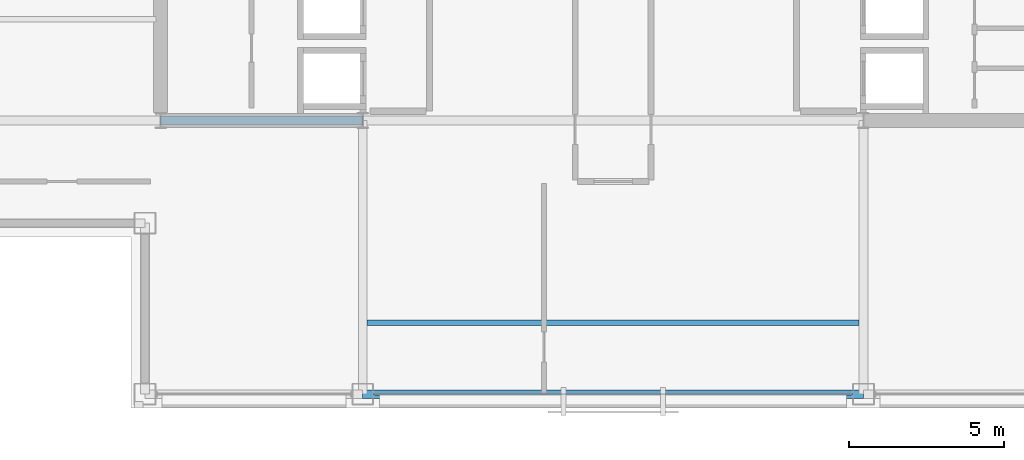
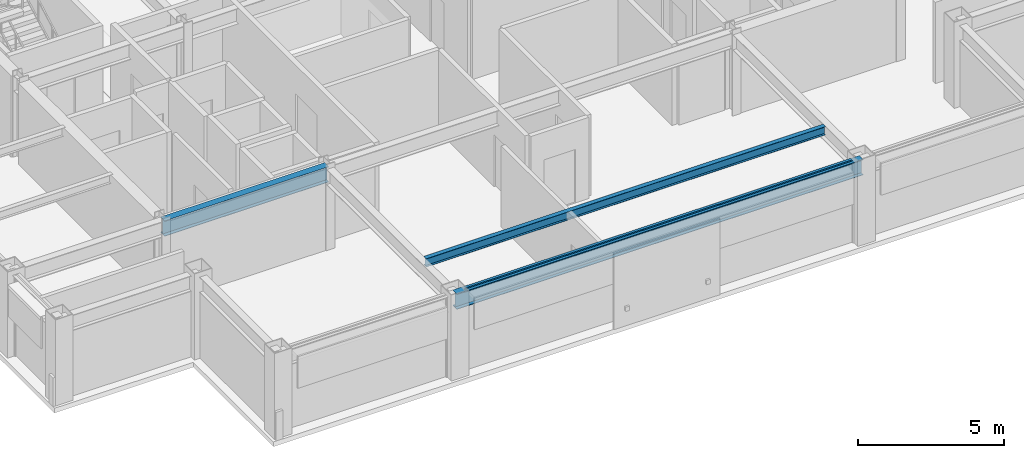
# One storey, part 5 of 30: 3 beams, 1 member, 1 element without a shape of its own.
"""IFC4 building model written with IfcOpenShell, lengths in metres."""

from ifc_helpers import new_model, si_unit, direction, frame, origin, origin_2d, place, context, subcontext, project, spatial, hollow_rectangle, i_section, extrude, material, layer, layer_set, material_profile, profile_set, type_object, element, aggregate, save


model = new_model("IFC4")

# Units and contexts
model_context = context("Model", 3, precision=1e-05, world=origin(), true_north=direction((0.0, 1.0)))
body_context = subcontext(model_context, "Body", "Model", "MODEL_VIEW")
ifc_project = project(units=[si_unit("LENGTHUNIT", "METRE"), si_unit("AREAUNIT", "SQUARE_METRE"), si_unit("VOLUMEUNIT", "CUBIC_METRE"), si_unit("PLANEANGLEUNIT", "RADIAN"), si_unit("MASSUNIT", "GRAM", prefix="KILO")], contexts=[model_context])

# Site, building, storey
site_placement = place(None, origin())
site = spatial("IfcSite", under=ifc_project, at=site_placement, CompositionType="ELEMENT")
building_placement = place(site_placement, origin())
building = spatial("IfcBuilding", under=site, at=building_placement, Name="Brelmoor Portico Tower", CompositionType="ELEMENT")
storey_placement = place(building_placement, frame((0.0, 0.0, 198.300048828125)))
storey = spatial("IfcBuildingStorey", under=building, at=storey_placement, Name="L52", CompositionType="ELEMENT", Elevation=198.300048828125)

# Beams
ifc_material_1 = material(Name="Steel Q355B", Category="steel")
ifc_material_profile_1 = material_profile(ifc_material_1, i_section(OverallWidth=0.175048828125, OverallDepth=0.35009765625, WebThickness=0.007080078125, FlangeThickness=0.010986328125, at=origin_2d()), Name="HN 350x175x7x11")
ifc_profile_set_1 = profile_set([ifc_material_profile_1], Name="Steel Q355B")
beam_type_1 = type_object("IfcBeamType", Name="BM-JS-350", PredefinedType="JOIST", material=ifc_profile_set_1)
beam_1_placement = place(storey_placement, frame((-7.909912109375, -16.25, 3.224853515625), z_axis=(1.0, 0.0, 0.0), x_axis=(0.0, 1.0, 0.0)))
element("IfcBeam", 1, at=beam_1_placement, inside=storey, type_object=beam_type_1, Name="L52 Secondary Composite Joist JS-C01", PredefinedType="JOIST", context=body_context, shape_type="SweptSolid", body=[
    extrude(i_section(OverallWidth=0.175048828125, OverallDepth=0.35009765625, WebThickness=0.007080078125, FlangeThickness=0.010986328125, at=origin_2d()), origin(), (0.0, 0.0, 1.0), 15.81982421875),
])
ifc_material_profile_2 = material_profile(ifc_material_1, i_section(OverallWidth=0.280029296875, OverallDepth=0.64990234375, WebThickness=0.012939453125, FlangeThickness=0.02197265625, at=origin_2d()), Name="HN 650x280x13x22")
ifc_profile_set_2 = profile_set([ifc_material_profile_2], Name="Steel Q355B")
beam_type_2 = type_object("IfcBeamType", Name="BM-PG-650", PredefinedType="BEAM", material=ifc_profile_set_2)
beam_2_placement = place(storey_placement, frame((-14.550048828125, -9.75, 3.074951171875), z_axis=(1.0, 0.0, 0.0), x_axis=(0.0, 1.0, 0.0)))
element("IfcBeam", 2, at=beam_2_placement, inside=storey, type_object=beam_type_2, Name="L52 Primary Floor Girder PG-12", PredefinedType="BEAM", context=body_context, shape_type="SweptSolid", body=[
    extrude(i_section(OverallWidth=0.280029296875, OverallDepth=0.64990234375, WebThickness=0.012939453125, FlangeThickness=0.02197265625, at=origin_2d()), origin(), (0.0, 0.0, 1.0), 6.5),
])
ifc_material_profile_3 = material_profile(ifc_material_1, i_section(OverallWidth=0.280029296875, OverallDepth=0.64990234375, WebThickness=0.012939453125, FlangeThickness=0.02197265625, at=origin_2d()), Name="HN 650x280x13x22")
ifc_profile_set_3 = profile_set([ifc_material_profile_3], Name="Steel Q355B")
beam_type_3 = type_object("IfcBeamType", Name="BM-SP-650", PredefinedType="SPANDREL", material=ifc_profile_set_3)
beam_3_placement = place(storey_placement, frame((-8.050048828125, -18.550048828125, 3.074951171875), z_axis=(1.0, 0.0, 0.0), x_axis=(0.0, 1.0, 0.0)))
element("IfcBeam", 3, at=beam_3_placement, inside=storey, type_object=beam_type_3, Name="L52 Perimeter Spandrel Beam SP-02", PredefinedType="SPANDREL", context=body_context, shape_type="SweptSolid", body=[
    extrude(i_section(OverallWidth=0.280029296875, OverallDepth=0.64990234375, WebThickness=0.012939453125, FlangeThickness=0.02197265625, at=origin_2d()), origin(), (0.0, 0.0, 1.0), 16.10009765625),
])

# Curtain wall, member
ifc_material_2 = material(Name="Anodised Aluminium Alloy 6063-T6", Category="aluminium")
ifc_layer = layer(ifc_material_2, 0.179931640625)
ifc_layer_set = layer_set([ifc_layer], Name="Anodised Aluminium Alloy 6063-T6")
curtain_wall_type = type_object("IfcCurtainWallType", Name="CW-TOWER-Z3-XB", PredefinedType="NOTDEFINED", material=ifc_layer_set)
curtain_wall_placement = place(storey_placement, origin())
curtain_wall = element("IfcCurtainWall", 4, at=curtain_wall_placement, inside=storey, type_object=curtain_wall_type, Name="L52 Curtain Wall CW-L52-01-2", PredefinedType="NOTDEFINED")
ifc_material_profile_4 = material_profile(ifc_material_2, hollow_rectangle(XDim=0.06005859375, YDim=0.125, WallThickness=0.00341796875, at=origin_2d()), Name="ALU TRANSOM 60x125")
ifc_profile_set_4 = profile_set([ifc_material_profile_4], Name="Anodised Aluminium Alloy 6063-T6")
member_type = type_object("IfcMemberType", Name="MB-CW-TRAN-125", PredefinedType="USERDEFINED", material=ifc_profile_set_4)
member_placement = place(storey_placement, frame((-7.68994140625, -18.550048828125, 3.33740234375), z_axis=(1.0, 0.0, 0.0), x_axis=(0.0, 1.0, 0.0)))
member = element("IfcMember", 5, at=member_placement, type_object=member_type, Name="CW-L52-01-2 Transom 1-00", ObjectType="TRANSOM", PredefinedType="USERDEFINED", context=body_context, shape_type="SweptSolid", body=[
    extrude(hollow_rectangle(XDim=0.06005859375, YDim=0.125, WallThickness=0.00341796875, at=origin_2d()), origin(), (0.0, 0.0, 1.0), 15.3798828125),
])
aggregate(curtain_wall, [member])

save(model, "model.ifc")
